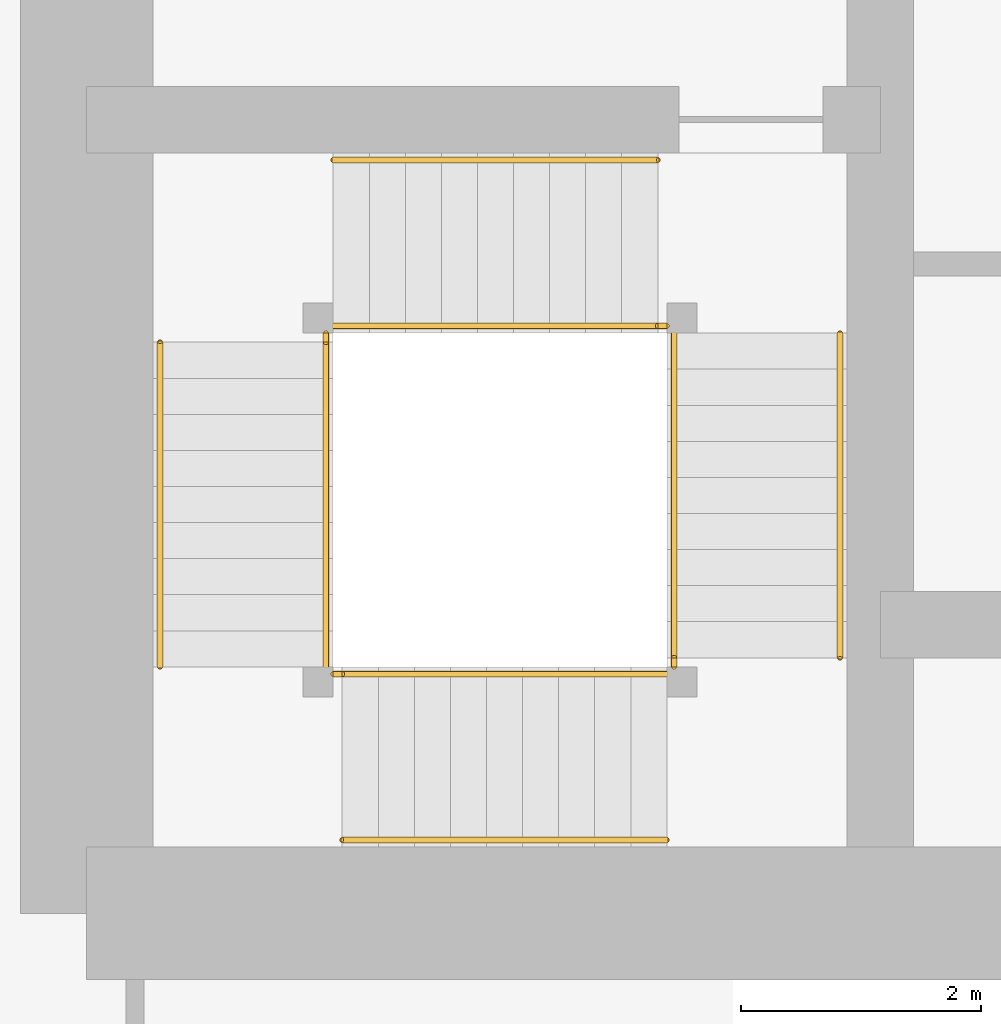
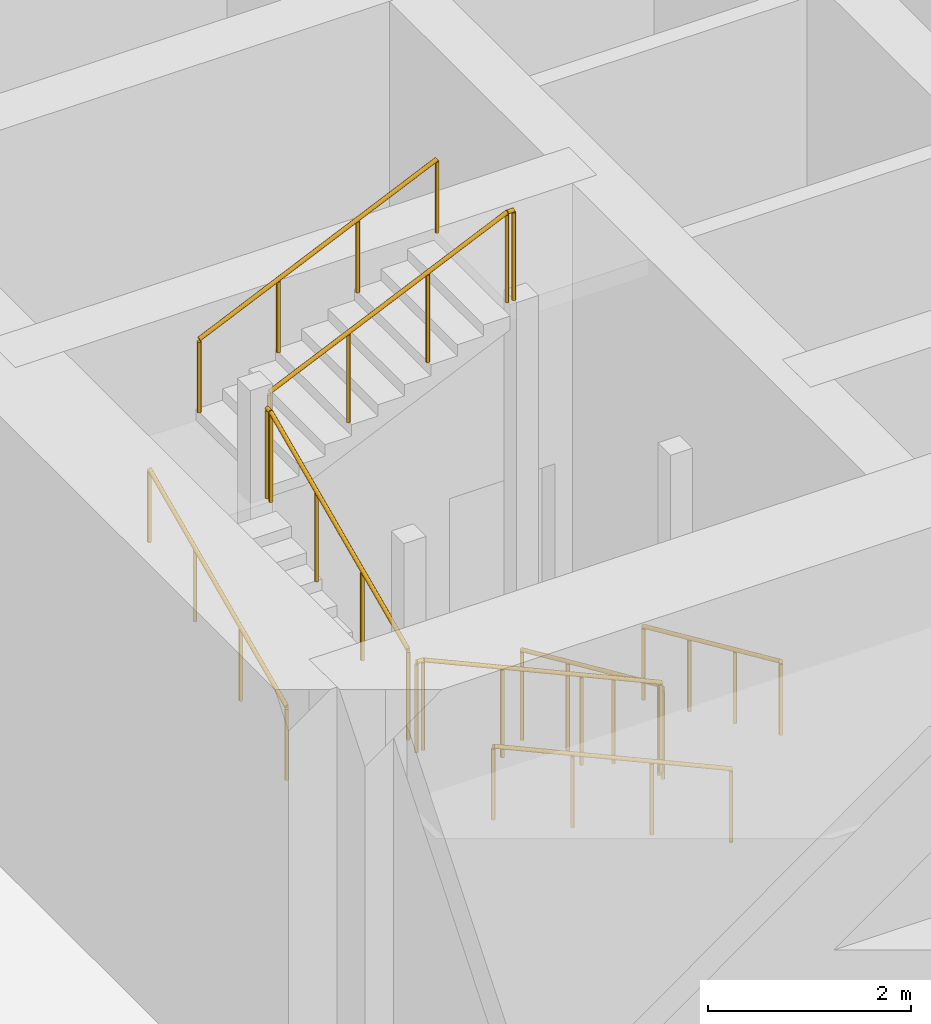
# One storey, part 14 of 20: 12 railings.
"""IFC4 building model written with IfcOpenShell, lengths in metres."""

from ifc_helpers import new_model, si_unit, direction, frame, origin, origin_2d, place, context, subcontext, project, spatial, circle, extrude, material, type_object, element, save


model = new_model("IFC4")

# Units and contexts
model_context = context("Model", 3, precision=1e-05, world=origin(), true_north=direction((0.0, 1.0)))
body_context = subcontext(model_context, "Body", "Model", "MODEL_VIEW")
ifc_project = project(units=[si_unit("LENGTHUNIT", "METRE"), si_unit("AREAUNIT", "SQUARE_METRE"), si_unit("VOLUMEUNIT", "CUBIC_METRE"), si_unit("PLANEANGLEUNIT", "RADIAN"), si_unit("MASSUNIT", "GRAM", prefix="KILO")], contexts=[model_context])

# Site, building, storey
site_placement = place(None, origin())
site = spatial("IfcSite", under=ifc_project, at=site_placement, CompositionType="ELEMENT")
building_placement = place(site_placement, origin())
building = spatial("IfcBuilding", under=site, at=building_placement, Name="Rekha Terrace Tower", CompositionType="ELEMENT")
storey_placement = place(building_placement, frame((0.0, 0.0, -5.39990234375)))
storey = spatial("IfcBuildingStorey", under=building, at=storey_placement, Name="B-01", CompositionType="ELEMENT", Elevation=-5.39990234375)

# Railings
ifc_material_1 = material(Name="Stainless steel balustrade", Category="steel")
railing_type_1 = type_object("IfcRailingType", Name="GR1 1100 stair guard", PredefinedType="GUARDRAIL", material=ifc_material_1)
railing_1_placement = place(storey_placement, frame((30.0849609375, 25.824951171875, 0.135009765625)))
element("IfcRailing", 1, at=railing_1_placement, inside=storey, type_object=railing_type_1, Name="Guard ST1 B-01 flight 1", PredefinedType="GUARDRAIL", context=body_context, shape_type="SweptSolid", body=[
    extrude(circle(Radius=0.02392578125, at=origin_2d()), frame((0.0, 0.0, 1.076171875), z_axis=(0.0, -0.91193847666, 0.410326960834), x_axis=(1.0, 0.0, 0.0)), (0.0, 0.0, 1.0), 2.960693359375),
    extrude(circle(Radius=0.02099609375, at=origin_2d()), origin(), (0.0, 0.0, 1.0), 1.052001953125),
    extrude(circle(Radius=0.02099609375, at=origin_2d()), frame((0.0, -0.89990234375, 0.405029296875)), (0.0, 0.0, 1.0), 1.052001953125),
    extrude(circle(Radius=0.02099609375, at=origin_2d()), frame((0.0, -1.800048828125, 0.809814453125)), (0.0, 0.0, 1.0), 1.052001953125),
    extrude(circle(Radius=0.02099609375, at=origin_2d()), frame((0.0, -2.699951171875, 1.21484375)), (0.0, 0.0, 1.0), 1.052001953125),
])
railing_2_placement = place(storey_placement, frame((30.02490234375, 22.989990234375, 1.48486328125)))
element("IfcRailing", 2, at=railing_2_placement, inside=storey, type_object=railing_type_1, Name="Guard ST1 B-01 flight 2", PredefinedType="GUARDRAIL", context=body_context, shape_type="SweptSolid", body=[
    extrude(circle(Radius=0.02392578125, at=origin_2d()), frame((0.0, 0.0, 1.076171875), z_axis=(-0.911907618724, 0.0, 0.410395534713), x_axis=(0.0, -1.0, 0.0)), (0.0, 0.0, 1.0), 2.960693359375),
    extrude(circle(Radius=0.02099609375, at=origin_2d()), origin(), (0.0, 0.0, 1.0), 1.052001953125),
    extrude(circle(Radius=0.02099609375, at=origin_2d()), frame((-0.89990234375, 0.0, 0.405029296875)), (0.0, 0.0, 1.0), 1.052001953125),
    extrude(circle(Radius=0.02099609375, at=origin_2d()), frame((-1.800048828125, 0.0, 0.81005859375)), (0.0, 0.0, 1.0), 1.052001953125),
    extrude(circle(Radius=0.02099609375, at=origin_2d()), frame((-2.699951171875, 0.0, 1.215087890625)), (0.0, 0.0, 1.0), 1.052001953125),
])
railing_3_placement = place(storey_placement, frame((27.18994140625, 23.050048828125, 2.8349609375)))
element("IfcRailing", 3, at=railing_3_placement, inside=storey, type_object=railing_type_1, Name="Guard ST1 B-01 flight 3", PredefinedType="GUARDRAIL", context=body_context, shape_type="SweptSolid", body=[
    extrude(circle(Radius=0.02392578125, at=origin_2d()), frame((0.0, 0.0, 1.076171875), z_axis=(0.0, 0.91193847666, 0.410326960834), x_axis=(-1.0, 0.0, 0.0)), (0.0, 0.0, 1.0), 2.960693359375),
    extrude(circle(Radius=0.02099609375, at=origin_2d()), origin(), (0.0, 0.0, 1.0), 1.052001953125),
    extrude(circle(Radius=0.02099609375, at=origin_2d()), frame((0.0, 0.89990234375, 0.405029296875)), (0.0, 0.0, 1.0), 1.052001953125),
    extrude(circle(Radius=0.02099609375, at=origin_2d()), frame((0.0, 1.800048828125, 0.809814453125)), (0.0, 0.0, 1.0), 1.052001953125),
    extrude(circle(Radius=0.02099609375, at=origin_2d()), frame((0.0, 2.699951171875, 1.21484375)), (0.0, 0.0, 1.0), 1.052001953125),
])
railing_4_placement = place(storey_placement, frame((27.25, 25.885009765625, 4.184814453125)))
element("IfcRailing", 4, at=railing_4_placement, inside=storey, type_object=railing_type_1, Name="Guard ST1 B-01 flight 4", PredefinedType="GUARDRAIL", context=body_context, shape_type="SweptSolid", body=[
    extrude(circle(Radius=0.02392578125, at=origin_2d()), frame((0.0, 0.0, 1.076171875), z_axis=(0.911907618724, 0.0, 0.410395534713), x_axis=(0.0, 1.0, 0.0)), (0.0, 0.0, 1.0), 2.960693359375),
    extrude(circle(Radius=0.02099609375, at=origin_2d()), origin(), (0.0, 0.0, 1.0), 1.052001953125),
    extrude(circle(Radius=0.02099609375, at=origin_2d()), frame((0.89990234375, 0.0, 0.405029296875)), (0.0, 0.0, 1.0), 1.052001953125),
    extrude(circle(Radius=0.02099609375, at=origin_2d()), frame((1.800048828125, 0.0, 0.81005859375)), (0.0, 0.0, 1.0), 1.052001953125),
    extrude(circle(Radius=0.02099609375, at=origin_2d()), frame((2.699951171875, 0.0, 1.215087890625)), (0.0, 0.0, 1.0), 1.052001953125),
])
railing_5_placement = place(storey_placement, frame((30.0849609375, 23.125, 1.349853515625)))
element("IfcRailing", 5, at=railing_5_placement, inside=storey, type_object=railing_type_1, Name="Guard ST1 B-01 landing 1", PredefinedType="GUARDRAIL", context=body_context, shape_type="SweptSolid", body=[
    extrude(circle(Radius=0.02392578125, at=origin_2d()), frame((0.0, 0.0, 1.076171875), z_axis=(0.0, -1.0, 0.0), x_axis=(1.0, 0.0, 0.0)), (0.0, 0.0, 1.0), 0.074951171875),
    extrude(circle(Radius=0.02099609375, at=origin_2d()), origin(), (0.0, 0.0, 1.0), 1.052001953125),
    extrude(circle(Radius=0.02099609375, at=origin_2d()), frame((0.0, -0.074951171875, 0.0)), (0.0, 0.0, 1.0), 1.052001953125),
])
railing_6_placement = place(storey_placement, frame((27.324951171875, 22.989990234375, 2.699951171875)))
element("IfcRailing", 6, at=railing_6_placement, inside=storey, type_object=railing_type_1, Name="Guard ST1 B-01 landing 2", PredefinedType="GUARDRAIL", context=body_context, shape_type="SweptSolid", body=[
    extrude(circle(Radius=0.02392578125, at=origin_2d()), frame((0.0, 0.0, 1.076171875), z_axis=(-1.0, 0.0, 0.0), x_axis=(0.0, -1.0, 0.0)), (0.0, 0.0, 1.0), 0.074951171875),
    extrude(circle(Radius=0.02099609375, at=origin_2d()), origin(), (0.0, 0.0, 1.0), 1.052001953125),
    extrude(circle(Radius=0.02099609375, at=origin_2d()), frame((-0.074951171875, 0.0, 0.0)), (0.0, 0.0, 1.0), 1.052001953125),
])
railing_7_placement = place(storey_placement, frame((27.18994140625, 25.824951171875, 4.0498046875)))
element("IfcRailing", 7, at=railing_7_placement, inside=storey, type_object=railing_type_1, Name="Guard ST1 B-01 landing 3", PredefinedType="GUARDRAIL", context=body_context, shape_type="SweptSolid", body=[
    extrude(circle(Radius=0.02392578125, at=origin_2d()), frame((0.0, 0.0, 1.076171875), z_axis=(0.0, -1.0, 0.0), x_axis=(1.0, 0.0, 0.0)), (0.0, 0.0, 1.0), 0.074951171875),
    extrude(circle(Radius=0.02099609375, at=origin_2d()), origin(), (0.0, 0.0, 1.0), 1.052001953125),
    extrude(circle(Radius=0.02099609375, at=origin_2d()), frame((0.0, -0.074951171875, 0.0)), (0.0, 0.0, 1.0), 1.052001953125),
])
railing_8_placement = place(storey_placement, frame((30.02490234375, 25.885009765625, 5.39990234375)))
element("IfcRailing", 8, at=railing_8_placement, inside=storey, type_object=railing_type_1, Name="Guard ST1 B-01 landing 4", PredefinedType="GUARDRAIL", context=body_context, shape_type="SweptSolid", body=[
    extrude(circle(Radius=0.02392578125, at=origin_2d()), frame((0.0, 0.0, 1.076171875), z_axis=(-1.0, 0.0, 0.0), x_axis=(0.0, -1.0, 0.0)), (0.0, 0.0, 1.0), 0.074951171875),
    extrude(circle(Radius=0.02099609375, at=origin_2d()), origin(), (0.0, 0.0, 1.0), 1.052001953125),
    extrude(circle(Radius=0.02099609375, at=origin_2d()), frame((-0.074951171875, 0.0, 0.0)), (0.0, 0.0, 1.0), 1.052001953125),
])
ifc_material_2 = material(Name="Stainless steel tube", Category="steel")
railing_type_2 = type_object("IfcRailingType", Name="HR1 900 stair handrail", PredefinedType="HANDRAIL", material=ifc_material_2)
railing_9_placement = place(storey_placement, frame((31.465087890625, 25.824951171875, 0.135009765625)))
element("IfcRailing", 9, at=railing_9_placement, inside=storey, type_object=railing_type_2, Name="Handrail ST1 B-01 flight 1", PredefinedType="HANDRAIL", context=body_context, shape_type="SweptSolid", body=[
    extrude(circle(Radius=0.02392578125, at=origin_2d()), frame((0.0, 0.0, 0.8759765625), z_axis=(0.0, -0.91193847666, 0.410326960834), x_axis=(1.0, 0.0, 0.0)), (0.0, 0.0, 1.0), 2.960693359375),
    extrude(circle(Radius=0.02099609375, at=origin_2d()), origin(), (0.0, 0.0, 1.0), 0.851806640625),
    extrude(circle(Radius=0.02099609375, at=origin_2d()), frame((0.0, -0.89990234375, 0.405029296875)), (0.0, 0.0, 1.0), 0.851806640625),
    extrude(circle(Radius=0.02099609375, at=origin_2d()), frame((0.0, -1.800048828125, 0.809814453125)), (0.0, 0.0, 1.0), 0.851806640625),
    extrude(circle(Radius=0.02099609375, at=origin_2d()), frame((0.0, -2.699951171875, 1.21484375)), (0.0, 0.0, 1.0), 0.851806640625),
])
railing_10_placement = place(storey_placement, frame((30.02490234375, 21.610107421875, 1.48486328125)))
element("IfcRailing", 10, at=railing_10_placement, inside=storey, type_object=railing_type_2, Name="Handrail ST1 B-01 flight 2", PredefinedType="HANDRAIL", context=body_context, shape_type="SweptSolid", body=[
    extrude(circle(Radius=0.02392578125, at=origin_2d()), frame((0.0, 0.0, 0.8759765625), z_axis=(-0.911907618724, 0.0, 0.410395534713), x_axis=(0.0, -1.0, 0.0)), (0.0, 0.0, 1.0), 2.960693359375),
    extrude(circle(Radius=0.02099609375, at=origin_2d()), origin(), (0.0, 0.0, 1.0), 0.851806640625),
    extrude(circle(Radius=0.02099609375, at=origin_2d()), frame((-0.89990234375, 0.0, 0.405029296875)), (0.0, 0.0, 1.0), 0.851806640625),
    extrude(circle(Radius=0.02099609375, at=origin_2d()), frame((-1.800048828125, 0.0, 0.81005859375)), (0.0, 0.0, 1.0), 0.851806640625),
    extrude(circle(Radius=0.02099609375, at=origin_2d()), frame((-2.699951171875, 0.0, 1.215087890625)), (0.0, 0.0, 1.0), 0.851806640625),
])
railing_11_placement = place(storey_placement, frame((25.81005859375, 23.050048828125, 2.8349609375)))
element("IfcRailing", 11, at=railing_11_placement, inside=storey, type_object=railing_type_2, Name="Handrail ST1 B-01 flight 3", PredefinedType="HANDRAIL", context=body_context, shape_type="SweptSolid", body=[
    extrude(circle(Radius=0.02392578125, at=origin_2d()), frame((0.0, 0.0, 0.8759765625), z_axis=(0.0, 0.91193847666, 0.410326960834), x_axis=(-1.0, 0.0, 0.0)), (0.0, 0.0, 1.0), 2.960693359375),
    extrude(circle(Radius=0.02099609375, at=origin_2d()), origin(), (0.0, 0.0, 1.0), 0.851806640625),
    extrude(circle(Radius=0.02099609375, at=origin_2d()), frame((0.0, 0.89990234375, 0.405029296875)), (0.0, 0.0, 1.0), 0.851806640625),
    extrude(circle(Radius=0.02099609375, at=origin_2d()), frame((0.0, 1.800048828125, 0.809814453125)), (0.0, 0.0, 1.0), 0.851806640625),
    extrude(circle(Radius=0.02099609375, at=origin_2d()), frame((0.0, 2.699951171875, 1.21484375)), (0.0, 0.0, 1.0), 0.851806640625),
])
railing_12_placement = place(storey_placement, frame((27.25, 27.264892578125, 4.184814453125)))
element("IfcRailing", 12, at=railing_12_placement, inside=storey, type_object=railing_type_2, Name="Handrail ST1 B-01 flight 4", PredefinedType="HANDRAIL", context=body_context, shape_type="SweptSolid", body=[
    extrude(circle(Radius=0.02392578125, at=origin_2d()), frame((0.0, 0.0, 0.8759765625), z_axis=(0.911907618724, 0.0, 0.410395534713), x_axis=(0.0, 1.0, 0.0)), (0.0, 0.0, 1.0), 2.960693359375),
    extrude(circle(Radius=0.02099609375, at=origin_2d()), origin(), (0.0, 0.0, 1.0), 0.851806640625),
    extrude(circle(Radius=0.02099609375, at=origin_2d()), frame((0.89990234375, 0.0, 0.405029296875)), (0.0, 0.0, 1.0), 0.851806640625),
    extrude(circle(Radius=0.02099609375, at=origin_2d()), frame((1.800048828125, 0.0, 0.81005859375)), (0.0, 0.0, 1.0), 0.851806640625),
    extrude(circle(Radius=0.02099609375, at=origin_2d()), frame((2.699951171875, 0.0, 1.215087890625)), (0.0, 0.0, 1.0), 0.851806640625),
])

save(model, "model.ifc")
